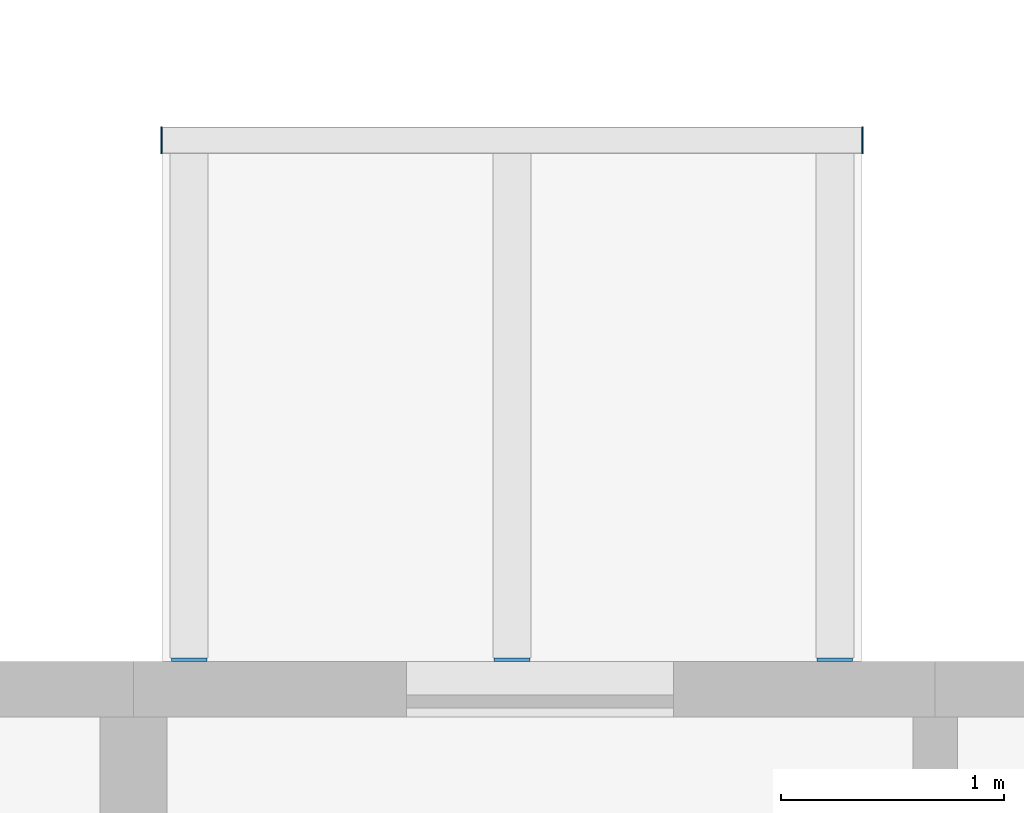
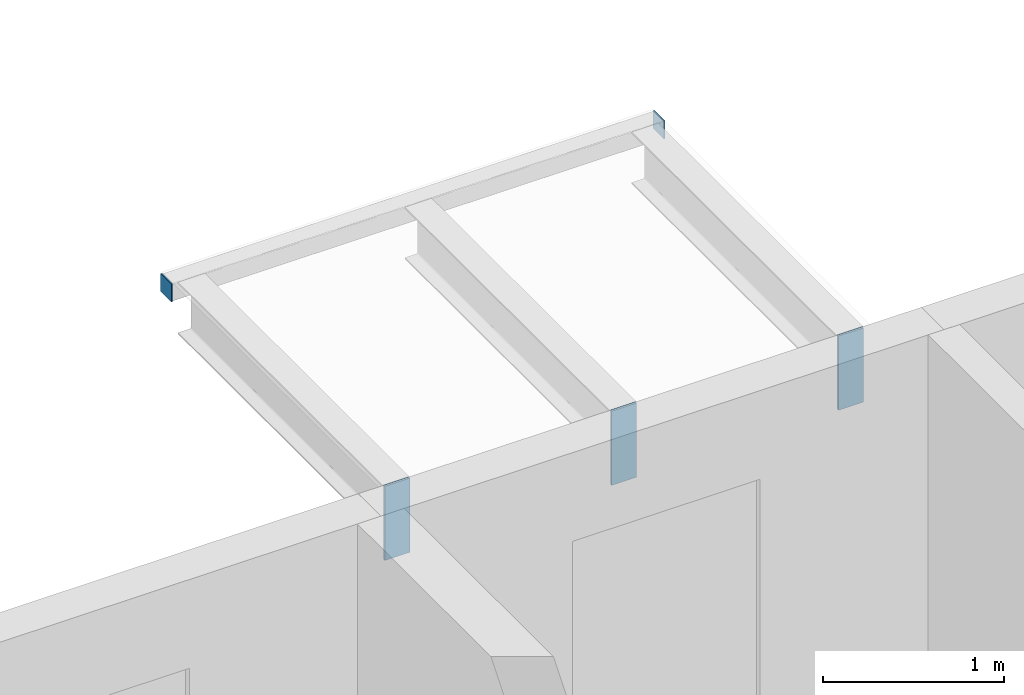
# One storey, part 66 of 93: 5 discrete accessories.
"""IFC4 building model written with IfcOpenShell, lengths in metres."""

from ifc_helpers import new_model, si_unit, direction, frame, origin, origin_2d, place, context, subcontext, project, spatial, rectangle, extrude, material, layer, layer_set, type_object, element, save


model = new_model("IFC4")

# Units and contexts
model_context = context("Model", 3, precision=1e-05, world=origin(), true_north=direction((0.0, 1.0)))
body_context = subcontext(model_context, "Body", "Model", "MODEL_VIEW")
ifc_project = project(units=[si_unit("LENGTHUNIT", "METRE"), si_unit("AREAUNIT", "SQUARE_METRE"), si_unit("VOLUMEUNIT", "CUBIC_METRE"), si_unit("PLANEANGLEUNIT", "RADIAN"), si_unit("MASSUNIT", "GRAM", prefix="KILO")], contexts=[model_context])

# Site, building, storey
site_placement = place(None, origin())
site = spatial("IfcSite", under=ifc_project, at=site_placement, CompositionType="ELEMENT")
building_placement = place(site_placement, origin())
building = spatial("IfcBuilding", under=site, at=building_placement, Name="Ridgestep Commons", CompositionType="ELEMENT")
storey_placement = place(building_placement, frame((0.0, 0.0, 18.0)))
storey = spatial("IfcBuildingStorey", under=building, at=storey_placement, Name="L06", CompositionType="ELEMENT", Elevation=18.0)

# Discrete accessories
ifc_material_1 = material(Name="Weathering steel S355J2W", Category="steel")
ifc_layer_1 = layer(ifc_material_1, 0.014892578125)
ifc_layer_set_1 = layer_set([ifc_layer_1], Name="Tray bracket plate 15")
discrete_accessory_type_1 = type_object("IfcDiscreteAccessoryType", Name="Tray bracket plate 15", PredefinedType="BRACKET", material=ifc_layer_set_1)
for number, where, z_axis, x_axis, name in (
    (1, (62.64990234375, 23.007568359375, 2.488525390625), (0.0, 0.0, 1.0), (1.0, 0.0, 0.0), "Tray bracket A4T1-07.1"),
    (2, (64.10009765625, 23.007568359375, 2.488525390625), (0.0, 0.0, 1.0), (1.0, 0.0, 0.0), "Tray bracket A4T1-07.2"),
    (3, (65.550048828125, 23.007568359375, 2.488525390625), (0.0, 0.0, 1.0), (1.0, 0.0, 0.0), "Tray bracket A4T1-07.3"),
):
    element("IfcDiscreteAccessory", number, at=place(storey_placement, frame(where, z_axis=z_axis, x_axis=x_axis)), inside=storey, type_object=discrete_accessory_type_1, Name=name, PredefinedType="BRACKET", context=body_context, shape_type="SweptSolid", body=[
        extrude(rectangle(XDim=0.159912109375, YDim=0.014892578125, at=origin_2d()), origin(), (0.0, 0.0, 1.0), 0.50146484375),
    ])
ifc_material_2 = material(Name="Weathering steel S355J2W", Category="steel")
ifc_layer_2 = layer(ifc_material_2, 0.008056640625)
ifc_layer_set_2 = layer_set([ifc_layer_2], Name="Tray edge member end plate 120 x 120 x 8")
discrete_accessory_type_2 = type_object("IfcDiscreteAccessoryType", Name="Tray edge member end plate 120 x 120 x 8", PredefinedType="BRACKET", material=ifc_layer_set_2)
for number, where, z_axis, x_axis, name in (
    (4, (62.52587890625, 25.340087890625, 2.869873046875), (0.0, 0.0, 1.0), (1.0, 0.0, 0.0), "Tray edge member end plate A4T1-07 west"),
    (5, (65.674072265625, 25.340087890625, 2.869873046875), (0.0, 0.0, 1.0), (1.0, 0.0, 0.0), "Tray edge member end plate A4T1-07 east"),
):
    element("IfcDiscreteAccessory", number, at=place(storey_placement, frame(where, z_axis=z_axis, x_axis=x_axis)), inside=storey, type_object=discrete_accessory_type_2, Name=name, PredefinedType="BRACKET", context=body_context, shape_type="SweptSolid", body=[
        extrude(rectangle(XDim=0.008056640625, YDim=0.1201171875, at=origin_2d()), origin(), (0.0, 0.0, 1.0), 0.1201171875),
    ])

save(model, "model.ifc")
